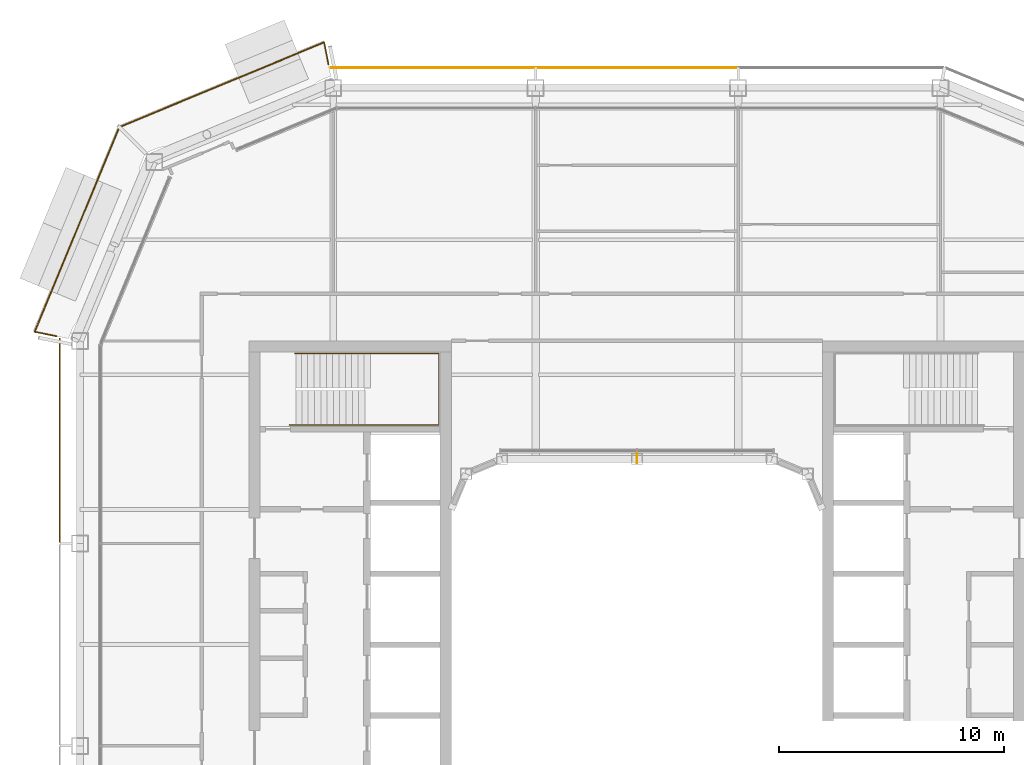
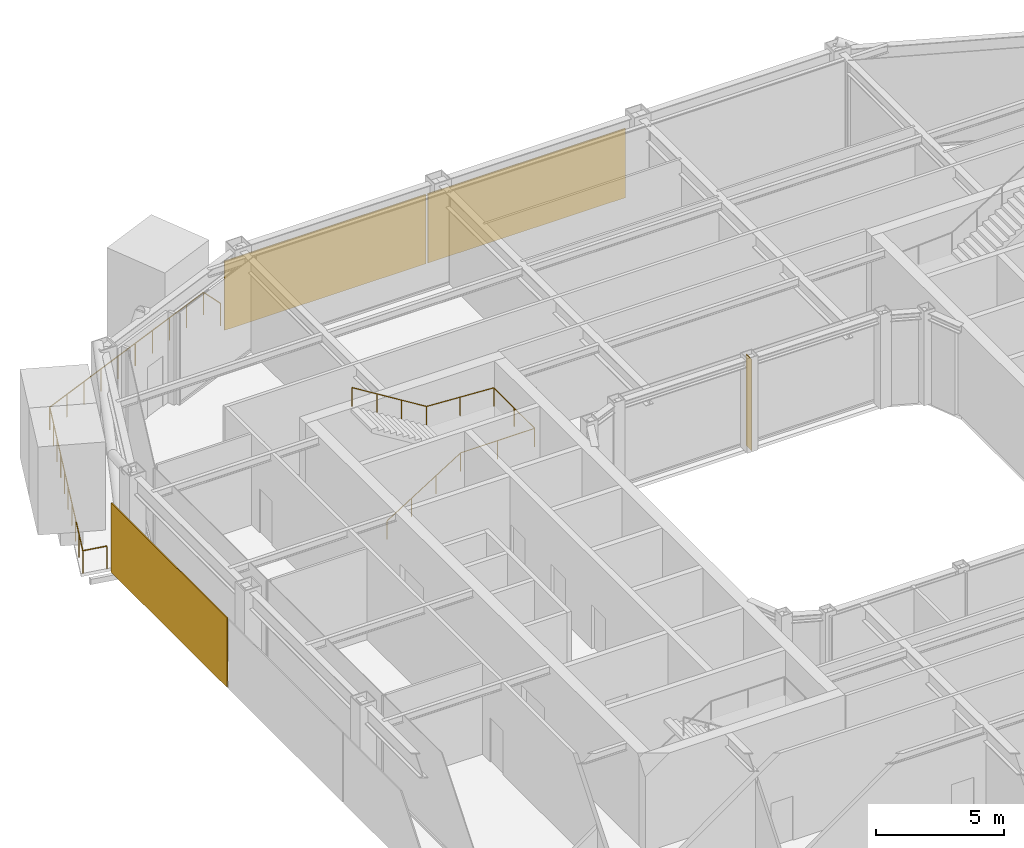
# One storey, part 19 of 21: 3 coverings, 2 railings, 1 shading device.
"""IFC4 building model written with IfcOpenShell, lengths in metres."""

from ifc_helpers import new_model, si_unit, direction, frame, origin, origin_2d, place, context, subcontext, project, spatial, rectangle, circle, extrude, material, layer, layer_set, type_object, element, save


model = new_model("IFC4")

# Units and contexts
model_context = context("Model", 3, precision=1e-05, world=origin(), true_north=direction((0.0, 1.0)))
body_context = subcontext(model_context, "Body", "Model", "MODEL_VIEW")
ifc_project = project(units=[si_unit("LENGTHUNIT", "METRE"), si_unit("AREAUNIT", "SQUARE_METRE"), si_unit("VOLUMEUNIT", "CUBIC_METRE"), si_unit("PLANEANGLEUNIT", "RADIAN"), si_unit("MASSUNIT", "GRAM", prefix="KILO")], contexts=[model_context])

# Site, building, storey
site_placement = place(None, origin())
site = spatial("IfcSite", under=ifc_project, at=site_placement, CompositionType="ELEMENT")
building_placement = place(site_placement, origin())
building = spatial("IfcBuilding", under=site, at=building_placement, Name="Siwar Civic Tower", CompositionType="ELEMENT")
storey_placement = place(building_placement, frame((0.0, 0.0, 312.199951171875)))
storey = spatial("IfcBuildingStorey", under=building, at=storey_placement, Name="L67", CompositionType="ELEMENT", Elevation=312.199951171875)

# Railing
ifc_material_1 = material(Name="Stainless steel", Category="steel")
railing_type_1 = type_object("IfcRailingType", Name="CORE-STAIR-HANDRAIL", PredefinedType="HANDRAIL", material=ifc_material_1)
railing_1_placement = place(storey_placement, frame((-15.449951171875, 9.758056640625, 0.173095703125)))
element("IfcRailing", 1, at=railing_1_placement, inside=storey, type_object=railing_type_1, Name="Stair handrail ST1", PredefinedType="HANDRAIL", context=body_context, shape_type="SweptSolid", body=[
    extrude(circle(Radius=0.02001953125, at=origin_2d()), frame((0.0, 0.0, 0.8798828125), z_axis=(0.847063342986, 0.0, 0.531491950051), x_axis=(0.0, 1.0, 0.0)), (0.0, 0.0, 1.0), 3.90771484375),
    extrude(circle(Radius=0.02001953125, at=origin_2d()), frame((3.31005859375, 0.0, 2.956787109375), z_axis=(1.0, 0.0, 0.0), x_axis=(0.0, 1.0, 0.0)), (0.0, 0.0, 1.0), 3.331787109375),
    extrude(circle(Radius=0.02001953125, at=origin_2d()), frame((6.641845703125, 0.0, 2.956787109375), z_axis=(0.0, 1.0, 0.0), x_axis=(-1.0, 0.0, 0.0)), (0.0, 0.0, 1.0), 3.183837890625),
    extrude(circle(Radius=0.02001953125, at=origin_2d()), frame((6.641845703125, 3.183837890625, 2.956787109375), z_axis=(-0.99837434197, 0.0, 0.056997134106), x_axis=(0.0, -1.0, 0.0)), (0.0, 0.0, 1.0), 3.036865234375),
    extrude(circle(Radius=0.02001953125, at=origin_2d()), frame((3.60986328125, 3.183837890625, 3.1298828125), z_axis=(-0.850606129759, 0.0, 0.525803396734), x_axis=(0.0, -1.0, 0.0)), (0.0, 0.0, 1.0), 3.949951171875),
    extrude(circle(Radius=0.02001953125, at=origin_2d()), origin(), (0.0, 0.0, 1.0), 0.85986328125),
    extrude(circle(Radius=0.02001953125, at=origin_2d()), frame((1.103271484375, 0.0, 0.6923828125)), (0.0, 0.0, 1.0), 0.85986328125),
    extrude(circle(Radius=0.02001953125, at=origin_2d()), frame((2.206787109375, 0.0, 1.384521484375)), (0.0, 0.0, 1.0), 0.85986328125),
    extrude(circle(Radius=0.02001953125, at=origin_2d()), frame((3.31005859375, 0.0, 2.076904296875)), (0.0, 0.0, 1.0), 0.85986328125),
    extrude(circle(Radius=0.02001953125, at=origin_2d()), frame((4.97607421875, 0.0, 2.076904296875)), (0.0, 0.0, 1.0), 0.85986328125),
    extrude(circle(Radius=0.02001953125, at=origin_2d()), frame((6.641845703125, 0.0, 2.076904296875)), (0.0, 0.0, 1.0), 0.85986328125),
    extrude(circle(Radius=0.02001953125, at=origin_2d()), frame((6.641845703125, 1.591796875, 2.076904296875)), (0.0, 0.0, 1.0), 0.85986328125),
    extrude(circle(Radius=0.02001953125, at=origin_2d()), frame((6.641845703125, 3.183837890625, 2.076904296875)), (0.0, 0.0, 1.0), 0.85986328125),
    extrude(circle(Radius=0.02001953125, at=origin_2d()), frame((5.1259765625, 3.183837890625, 2.16357421875)), (0.0, 0.0, 1.0), 0.85986328125),
    extrude(circle(Radius=0.02001953125, at=origin_2d()), frame((3.60986328125, 3.183837890625, 2.25)), (0.0, 0.0, 1.0), 0.85986328125),
    extrude(circle(Radius=0.02001953125, at=origin_2d()), frame((2.489990234375, 3.183837890625, 2.9423828125)), (0.0, 0.0, 1.0), 0.85986328125),
    extrude(circle(Radius=0.02001953125, at=origin_2d()), frame((1.369873046875, 3.183837890625, 3.634521484375)), (0.0, 0.0, 1.0), 0.85986328125),
    extrude(circle(Radius=0.02001953125, at=origin_2d()), frame((0.25, 3.183837890625, 4.326904296875)), (0.0, 0.0, 1.0), 0.85986328125),
])

# Shading device
ifc_material_2 = material(Name="Aluminium 6063-T6", Category="aluminium")
ifc_layer_1 = layer(ifc_material_2, 0.02001953125)
ifc_layer_set_1 = layer_set([ifc_layer_1], Name="Aluminium 6063-T6")
shading_device_type = type_object("IfcShadingDeviceType", Name="ENV-FIN", PredefinedType="JALOUSIE", material=ifc_layer_set_1)
shading_device_placement = place(storey_placement, frame((0.0, 8.294921875, 0.0), z_axis=(0.0, 0.0, 1.0), x_axis=(-1.0, 0.0, 0.0)))
element("IfcShadingDevice", 2, at=shading_device_placement, inside=storey, type_object=shading_device_type, Name="SUNSHADE fin WN 1", PredefinedType="JALOUSIE", context=body_context, shape_type="SweptSolid", body=[
    extrude(rectangle(XDim=0.02001953125, YDim=0.449951171875, at=origin_2d()), origin(), (0.0, 0.0, 1.0), 4.35009765625),
])

# Railing
ifc_material_3 = material(Name="Stainless steel 316", Category="steel")
railing_type_2 = type_object("IfcRailingType", Name="ENV-GUARD", PredefinedType="GUARDRAIL", material=ifc_material_3)
railing_2_placement = place(storey_placement, frame((-13.708251953125, 25.797119140625, 0.0)))
element("IfcRailing", 3, at=railing_2_placement, inside=storey, type_object=railing_type_2, Name="Balcony guard NW", PredefinedType="GUARDRAIL", context=body_context, shape_type="SweptSolid", body=[
    extrude(circle(Radius=0.02392578125, at=origin_2d()), frame((0.0, 0.0, 1.076171875), z_axis=(-0.195123592472, 0.980778661911, 0.0), x_axis=(-0.980778661911, -0.195123592472, 0.0)), (0.0, 0.0, 1.0), 0.993408203125),
    extrude(circle(Radius=0.02392578125, at=origin_2d()), frame((-0.19384765625, 0.974365234375, 1.076171875), z_axis=(-0.924056377406, -0.38225621169, 0.0), x_axis=(0.38225621169, -0.924056377406, 0.0)), (0.0, 0.0, 1.0), 9.851806640625),
    extrude(circle(Radius=0.02392578125, at=origin_2d()), frame((-9.29736328125, -2.79150390625, 1.076171875), z_axis=(-0.38225621169, -0.924056377406, 0.0), x_axis=(0.924056377406, -0.38225621169, 0.0)), (0.0, 0.0, 1.0), 9.851806640625),
    extrude(circle(Radius=0.02392578125, at=origin_2d()), frame((-13.063232421875, -11.89501953125, 1.076171875), z_axis=(0.980778661911, -0.195123592472, 0.0), x_axis=(0.195123592472, 0.980778661911, 0.0)), (0.0, 0.0, 1.0), 0.993408203125),
    extrude(circle(Radius=0.02099609375, at=origin_2d()), origin(), (0.0, 0.0, 1.0), 1.052001953125),
    extrude(circle(Radius=0.02099609375, at=origin_2d()), frame((-0.19384765625, 0.974365234375, 0.0)), (0.0, 0.0, 1.0), 1.052001953125),
    extrude(circle(Radius=0.02099609375, at=origin_2d()), frame((-1.205322265625, 0.555908203125, 0.0)), (0.0, 0.0, 1.0), 1.052001953125),
    extrude(circle(Radius=0.02099609375, at=origin_2d()), frame((-2.216796875, 0.137451171875, 0.0)), (0.0, 0.0, 1.0), 1.052001953125),
    extrude(circle(Radius=0.02099609375, at=origin_2d()), frame((-3.228271484375, -0.281005859375, 0.0)), (0.0, 0.0, 1.0), 1.052001953125),
    extrude(circle(Radius=0.02099609375, at=origin_2d()), frame((-4.23974609375, -0.699462890625, 0.0)), (0.0, 0.0, 1.0), 1.052001953125),
    extrude(circle(Radius=0.02099609375, at=origin_2d()), frame((-5.25146484375, -1.11767578125, 0.0)), (0.0, 0.0, 1.0), 1.052001953125),
    extrude(circle(Radius=0.02099609375, at=origin_2d()), frame((-6.262939453125, -1.5361328125, 0.0)), (0.0, 0.0, 1.0), 1.052001953125),
    extrude(circle(Radius=0.02099609375, at=origin_2d()), frame((-7.2744140625, -1.95458984375, 0.0)), (0.0, 0.0, 1.0), 1.052001953125),
    extrude(circle(Radius=0.02099609375, at=origin_2d()), frame((-8.285888671875, -2.373046875, 0.0)), (0.0, 0.0, 1.0), 1.052001953125),
    extrude(circle(Radius=0.02099609375, at=origin_2d()), frame((-9.29736328125, -2.79150390625, 0.0)), (0.0, 0.0, 1.0), 1.052001953125),
    extrude(circle(Radius=0.02099609375, at=origin_2d()), frame((-9.7158203125, -3.802978515625, 0.0)), (0.0, 0.0, 1.0), 1.052001953125),
    extrude(circle(Radius=0.02099609375, at=origin_2d()), frame((-10.13427734375, -4.814453125, 0.0)), (0.0, 0.0, 1.0), 1.052001953125),
    extrude(circle(Radius=0.02099609375, at=origin_2d()), frame((-10.552734375, -5.825927734375, 0.0)), (0.0, 0.0, 1.0), 1.052001953125),
    extrude(circle(Radius=0.02099609375, at=origin_2d()), frame((-10.97119140625, -6.83740234375, 0.0)), (0.0, 0.0, 1.0), 1.052001953125),
    extrude(circle(Radius=0.02099609375, at=origin_2d()), frame((-11.389404296875, -7.84912109375, 0.0)), (0.0, 0.0, 1.0), 1.052001953125),
    extrude(circle(Radius=0.02099609375, at=origin_2d()), frame((-11.807861328125, -8.860595703125, 0.0)), (0.0, 0.0, 1.0), 1.052001953125),
    extrude(circle(Radius=0.02099609375, at=origin_2d()), frame((-12.226318359375, -9.8720703125, 0.0)), (0.0, 0.0, 1.0), 1.052001953125),
    extrude(circle(Radius=0.02099609375, at=origin_2d()), frame((-12.644775390625, -10.883544921875, 0.0)), (0.0, 0.0, 1.0), 1.052001953125),
    extrude(circle(Radius=0.02099609375, at=origin_2d()), frame((-13.063232421875, -11.89501953125, 0.0)), (0.0, 0.0, 1.0), 1.052001953125),
    extrude(circle(Radius=0.02099609375, at=origin_2d()), frame((-12.0888671875, -12.0888671875, 0.0)), (0.0, 0.0, 1.0), 1.052001953125),
])

# Coverings
ifc_material_4 = material(Name="Perforated aluminium cassette, pale metal", Category="aluminium")
ifc_layer_2 = layer(ifc_material_4, 0.0400390625)
ifc_layer_set_2 = layer_set([ifc_layer_2], Name="Perforated aluminium cassette, pale metal")
covering_type_1 = type_object("IfcCoveringType", Name="ENV-OUTER SKIN OS-1", PredefinedType="CLADDING", material=ifc_layer_set_2)
covering_1_placement = place(storey_placement, frame((0.0, 25.64990234375, -0.14990234375), z_axis=(0.0, 0.0, 1.0), x_axis=(-1.0, 0.0, 0.0)))
element("IfcCovering", 4, at=covering_1_placement, inside=storey, type_object=covering_type_1, Name="OUTER SKIN OS-1 N 2", PredefinedType="CLADDING", context=body_context, shape_type="SweptSolid", body=[
    extrude(rectangle(XDim=8.89990234375, YDim=0.0400390625, at=origin_2d()), origin(), (0.0, 0.0, 1.0), 3.300048828125),
])
covering_2_placement = place(storey_placement, frame((-9.07958984375, 25.64990234375, -0.14990234375), z_axis=(0.0, 0.0, 1.0), x_axis=(-1.0, 0.0, 0.0)))
element("IfcCovering", 5, at=covering_2_placement, inside=storey, type_object=covering_type_1, Name="OUTER SKIN OS-1 N 3", PredefinedType="CLADDING", context=body_context, shape_type="SweptSolid", body=[
    extrude(rectangle(XDim=9.05908203125, YDim=0.0400390625, at=origin_2d()), origin(), (0.0, 0.0, 1.0), 3.300048828125),
])
ifc_material_5 = material(Name="Perforated aluminium cassette, pale metal", Category="aluminium")
ifc_layer_3 = layer(ifc_material_5, 0.050048828125)
ifc_layer_set_3 = layer_set([ifc_layer_3], Name="Perforated aluminium cassette, pale metal")
covering_type_2 = type_object("IfcCoveringType", Name="ENV-OUTER SKIN OS-3", PredefinedType="CLADDING", material=ifc_layer_set_3)
covering_3_placement = place(storey_placement, frame((-25.64990234375, 9.07958984375, -0.14990234375), z_axis=(0.0, 0.0, 1.0), x_axis=(0.0, -1.0, 0.0)))
element("IfcCovering", 6, at=covering_3_placement, inside=storey, type_object=covering_type_2, Name="OUTER SKIN OS-3 W 1", PredefinedType="CLADDING", context=body_context, shape_type="SweptSolid", body=[
    extrude(rectangle(XDim=9.05908203125, YDim=0.050048828125, at=origin_2d()), origin(), (0.0, 0.0, 1.0), 3.300048828125),
])

save(model, "model.ifc")
